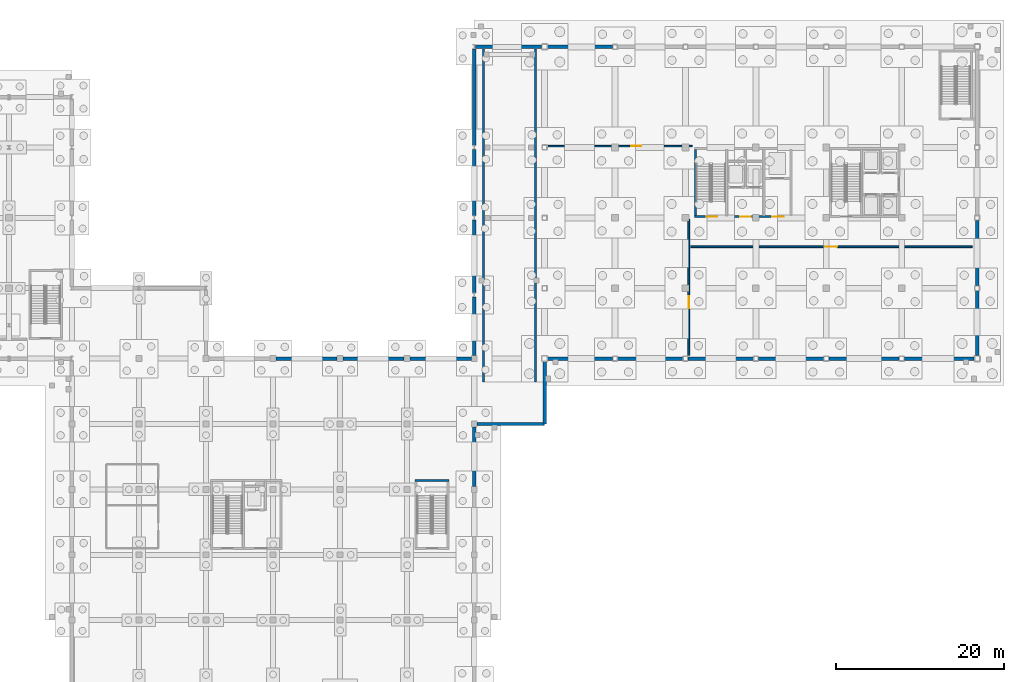
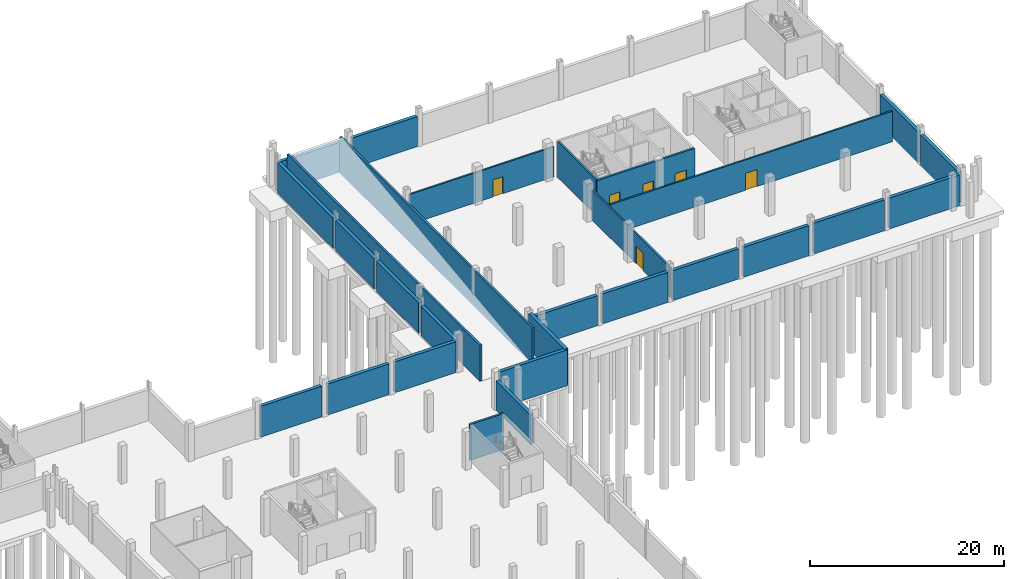
# One storey, part 33 of 44: 28 walls, 6 doors, 6 openings.
"""IFC4 building model written with IfcOpenShell, lengths in metres."""

import ifcopenshell
import ifcopenshell.guid

model = None  # the IFC model being written
_history = None  # IfcOwnerHistory: only IFC2X3 demands one
_inside = {}  # id of a spatial element -> (the spatial element, [elements in it])
_under = {}  # id of a project, library or spatial element -> (it, [spatial elements below it])
_declared = {}  # id of a project -> (the project, [libraries it declares])
_typed = {}  # id of a type object -> (the type object, [elements of that type])
_made_of = {}  # id of a material, layer set ... -> (it, [elements and type objects made of it])


def new_model(schema):
    """Start an empty IFC model of exactly this schema.

    Asked for "IFC4X3", IfcOpenShell would pick the latest addendum, in which some entities
    have other attributes; the version numbers below select the first issue.
    IFC2X3 requires an IfcOwnerHistory on every rooted entity: one is made here for all.
    """
    global model, _history
    if schema == "IFC4X3":
        model = ifcopenshell.file(schema_version=(4, 3, 0, 0))
    else:
        model = ifcopenshell.file(schema=schema)
    _inside.clear()
    _under.clear()
    _declared.clear()
    _typed.clear()
    _made_of.clear()
    _history = None
    if model.schema == "IFC2X3":
        org = make("IfcOrganization", Name="unknown")
        user = make(
            "IfcPersonAndOrganization",
            ThePerson=make("IfcPerson", FamilyName="unknown"),
            TheOrganization=org,
        )
        app = make(
            "IfcApplication",
            ApplicationDeveloper=org,
            Version="unknown",
            ApplicationFullName="unknown",
            ApplicationIdentifier="unknown",
        )
        _history = make(
            "IfcOwnerHistory",
            OwningUser=user,
            OwningApplication=app,
            ChangeAction="ADDED",
            CreationDate=0,
        )
    return model


def make(cls, **values):
    """One entity of the class cls with the attributes given. An attribute that is None is left unset."""
    return model.create_entity(
        cls, **{name: value for name, value in values.items() if value is not None}
    )


def rooted(cls, **values):
    """An entity with a GlobalId (a new one), such as an element, a storey or a relation."""
    return make(cls, GlobalId=ifcopenshell.guid.new(), OwnerHistory=_history, **values)


def si_unit(unit_type, name, prefix=None):
    """IfcSIUnit, for example si_unit("LENGTHUNIT", "METRE", prefix="MILLI")."""
    return make("IfcSIUnit", UnitType=unit_type, Prefix=prefix, Name=name)


def assignment(units):
    """IfcUnitAssignment: the units of a project."""
    return None if units is None else make("IfcUnitAssignment", Units=units)


def point(xyz):
    """IfcCartesianPoint."""
    return None if xyz is None else make("IfcCartesianPoint", Coordinates=xyz)


def direction(xyz):
    """IfcDirection."""
    return None if xyz is None else make("IfcDirection", DirectionRatios=xyz)


def frame(location, z_axis=None, x_axis=None):
    """IfcAxis2Placement3D, a coordinate frame: its origin and axes. An axis left out is left unset."""
    return make(
        "IfcAxis2Placement3D",
        Location=point(location),
        Axis=direction(z_axis),
        RefDirection=direction(x_axis),
    )


def frame_2d(location, x_axis=None):
    """IfcAxis2Placement2D, a coordinate frame in the plane: its origin and x axis."""
    return make(
        "IfcAxis2Placement2D", Location=point(location), RefDirection=direction(x_axis)
    )


def origin():
    """The frame at (0, 0, 0) with its axes left unset."""
    return frame((0.0, 0.0, 0.0))


def place(relative_to, where):
    """IfcLocalPlacement: puts the frame where relative to a parent placement (None: the world)."""
    return make(
        "IfcLocalPlacement", PlacementRelTo=relative_to, RelativePlacement=where
    )


def context(
    kind, dimensions, precision=None, world=None, true_north=None, identifier=None
):
    """IfcGeometricRepresentationContext, for example the 3D "Model" context."""
    return make(
        "IfcGeometricRepresentationContext",
        ContextIdentifier=identifier,
        ContextType=kind,
        CoordinateSpaceDimension=dimensions,
        Precision=precision,
        WorldCoordinateSystem=world,
        TrueNorth=true_north,
    )


def subcontext(parent, identifier, kind, view, scale=None):
    """IfcGeometricRepresentationSubContext, for example "Body" below "Model"."""
    return make(
        "IfcGeometricRepresentationSubContext",
        ContextIdentifier=identifier,
        ContextType=kind,
        ParentContext=parent,
        TargetScale=scale,
        TargetView=view,
    )


def project(units=None, contexts=None):
    """IfcProject with its units and contexts."""
    return rooted(
        "IfcProject",
        Name="project",
        RepresentationContexts=contexts,
        UnitsInContext=assignment(units),
    )


def spatial(cls, under=None, at=None, **own):
    """A site, building, storey or space (cls), placed at a placement, below another one or the project."""
    s = rooted(cls, ObjectPlacement=at, **own)
    if under is not None:
        _under.setdefault(under.id(), (under, []))[1].append(s)
    return s


def profile(cls, at=None, kind="AREA", **sizes):
    """A parametric profile (cls). Its sizes go by their IFC names, for example OverallWidth=200.0."""
    return make(cls, ProfileType=kind, Position=at, **sizes)


def rectangle(**sizes):
    """IfcRectangleProfileDef."""
    return profile("IfcRectangleProfileDef", **sizes)


def extrude(swept, where, along, depth):
    """IfcExtrudedAreaSolid: the profile swept, set in the frame where, extruded along a direction by depth."""
    return make(
        "IfcExtrudedAreaSolid",
        SweptArea=swept,
        Position=where,
        ExtrudedDirection=direction(along),
        Depth=depth,
    )


def shape(context_of_items, identifier, shape_type, items):
    """IfcShapeRepresentation: the items that make up one representation, for example the "Body"."""
    return make(
        "IfcShapeRepresentation",
        ContextOfItems=context_of_items,
        RepresentationIdentifier=identifier,
        RepresentationType=shape_type,
        Items=items,
    )


def material(Name=None, Category=None):
    """IfcMaterial."""
    return make("IfcMaterial", Name=Name, Category=Category)


def layer(
    of_material, thickness, ventilated=None, Name=None, Category=None, Priority=None
):
    """IfcMaterialLayer: one layer of a wall or slab, of a material (None: an air gap)."""
    return make(
        "IfcMaterialLayer",
        Material=of_material,
        LayerThickness=thickness,
        IsVentilated=ventilated,
        Name=Name,
        Category=Category,
        Priority=Priority,
    )


def layer_set(layers, Name=None):
    """IfcMaterialLayerSet."""
    return make("IfcMaterialLayerSet", MaterialLayers=layers, LayerSetName=Name)


def made_of(thing, what):
    """Note that an element or type object is made of a material, layer set ...; save() writes the relation."""
    if what is not None:
        _made_of.setdefault(what.id(), (what, []))[1].append(thing)
    return thing


def type_object(cls, material=None, **own):
    """A type object (cls), such as IfcWallType, which elements share."""
    return made_of(rooted(cls, **own), material)


def element(
    cls,
    number,
    at=None,
    inside=None,
    cuts=None,
    type_object=None,
    material=None,
    context=None,
    identifier="Body",
    shape_type=None,
    held_by="IfcProductDefinitionShape",
    body=None,
    shapes=None,
    **own,
):
    """One element of the class cls, such as IfcWall. Its Tag is "e" and its number.

    at: its placement. inside: the storey or other place that contains it. cuts: it is an
    opening in that element (IfcRelVoidsElement). A single representation is given by context,
    identifier, shape_type and body (its items); several are given by shapes. held_by: the class
    of the entity that holds the representations. save() writes the other relations.
    """
    e = rooted(cls, Tag="e%d" % number, ObjectPlacement=at, **own)
    if body is not None:
        shapes = [shape(context, identifier, shape_type, body)]
    if shapes is not None:
        e.Representation = make(held_by, Representations=shapes)
    if inside is not None:
        _inside.setdefault(inside.id(), (inside, []))[1].append(e)
    if cuts is not None:
        rooted(
            "IfcRelVoidsElement", RelatingBuildingElement=cuts, RelatedOpeningElement=e
        )
    if type_object is not None:
        _typed.setdefault(type_object.id(), (type_object, []))[1].append(e)
    return made_of(e, material)


def fill(opening, filler):
    """IfcRelFillsElement: the door or window that sits in an opening."""
    return rooted(
        "IfcRelFillsElement",
        RelatingOpeningElement=opening,
        RelatedBuildingElement=filler,
    )


def aggregate(whole, parts):
    """IfcRelAggregates: a whole, such as a stair, and the parts it consists of."""
    return rooted("IfcRelAggregates", RelatingObject=whole, RelatedObjects=parts)


def save(model, path):
    """Write the relations noted so far, then the file.

    IfcRelAggregates (storeys below a building ...), IfcRelContainedInSpatialStructure (elements
    in a storey), IfcRelDefinesByType, IfcRelAssociatesMaterial and IfcRelDeclares: one each for
    every whole, place, type object, material and project.
    """
    for whole, parts in _under.values():
        aggregate(whole, parts)
    for where, things in _inside.values():
        rooted(
            "IfcRelContainedInSpatialStructure",
            RelatedElements=things,
            RelatingStructure=where,
        )
    for kind, things in _typed.values():
        rooted("IfcRelDefinesByType", RelatedObjects=things, RelatingType=kind)
    for what, things in _made_of.values():
        rooted("IfcRelAssociatesMaterial", RelatedObjects=things, RelatingMaterial=what)
    for by, libraries in _declared.values():
        rooted("IfcRelDeclares", RelatingContext=by, RelatedDefinitions=libraries)
    model.write(path)


model = new_model("IFC4")

# Units and contexts
model_context = context("Model", 3, precision=1e-05, world=origin(), true_north=direction((0.0, 1.0)))
body_context = subcontext(model_context, "Body", "Model", "MODEL_VIEW")
ifc_project = project(units=[si_unit("LENGTHUNIT", "METRE"), si_unit("AREAUNIT", "SQUARE_METRE"), si_unit("VOLUMEUNIT", "CUBIC_METRE"), si_unit("PLANEANGLEUNIT", "RADIAN"), si_unit("MASSUNIT", "GRAM", prefix="KILO")], contexts=[model_context])

# Site, building, storey
site_placement = place(None, origin())
site = spatial("IfcSite", under=ifc_project, at=site_placement, CompositionType="ELEMENT")
building_placement = place(site_placement, origin())
building = spatial("IfcBuilding", under=site, at=building_placement, Name="Yukiwa Park Conservatory and Herbarium", CompositionType="ELEMENT")
storey_placement = place(building_placement, frame((0.0, 0.0, -4.800048828125)))
storey = spatial("IfcBuildingStorey", under=building, at=storey_placement, Name="B1", CompositionType="ELEMENT", Elevation=-4.800048828125)

# Walls
ifc_material_1 = material(Name="Concrete C40", Category="concrete")
ifc_layer_1 = layer(ifc_material_1, 0.39990234375)
ifc_layer_set_1 = layer_set([ifc_layer_1], Name="Concrete C40")
wall_type_1 = type_object("IfcWallType", Name="WL-B1-RET400", PredefinedType="SOLIDWALL", material=ifc_layer_set_1)
wall_1_placement = place(storey_placement, frame((108.0, 62.75, 0.0), z_axis=(0.0, 0.0, 1.0), x_axis=(0.0, 1.0, 0.0)))
element("IfcWall", 1, at=wall_1_placement, inside=storey, type_object=wall_type_1, Name="B1 exterior envelope wall 23", PredefinedType="SOLIDWALL", context=body_context, shape_type="SweptSolid", body=[
    extrude(rectangle(XDim=7.10009765625, YDim=0.39990234375, at=frame_2d((3.550048828125, 0.0))), origin(), (0.0, 0.0, 1.0), 3.739990234375),
])
wall_2_placement = place(storey_placement, frame((108.35009765625, 70.199951171875, 0.0), z_axis=(0.0, 0.0, 1.0), x_axis=(1.0, 0.0, 0.0)))
element("IfcWall", 2, at=wall_2_placement, inside=storey, type_object=wall_type_1, Name="B1 exterior envelope wall 24", PredefinedType="SOLIDWALL", context=body_context, shape_type="SweptSolid", body=[
    extrude(rectangle(XDim=8.0498046875, YDim=0.39990234375, at=frame_2d((4.02490234375, 0.0))), origin(), (0.0, 0.0, 1.0), 4.5400390625),
])
wall_3_placement = place(storey_placement, frame((116.39990234375, 70.199951171875, 0.0), z_axis=(0.0, 0.0, 1.0), x_axis=(0.0, 1.0, 0.0)))
element("IfcWall", 3, at=wall_3_placement, inside=storey, type_object=wall_type_1, Name="B1 exterior envelope wall 25", PredefinedType="SOLIDWALL", context=body_context, shape_type="SweptSolid", body=[
    extrude(rectangle(XDim=7.449951171875, YDim=0.39990234375, at=frame_2d((3.72509765625, 0.0))), origin(), (0.0, 0.0, 1.0), 4.5400390625),
])
wall_4_placement = place(storey_placement, frame((116.75, 78.0, 0.0), z_axis=(0.0, 0.0, 1.0), x_axis=(1.0, 0.0, 0.0)))
element("IfcWall", 4, at=wall_4_placement, inside=storey, type_object=wall_type_1, Name="B1 exterior envelope wall 26", PredefinedType="SOLIDWALL", context=body_context, shape_type="SweptSolid", body=[
    extrude(rectangle(XDim=7.75, YDim=0.39990234375, at=frame_2d((3.875, 0.0))), origin(), (0.0, 0.0, 1.0), 3.7900390625),
])
wall_5_placement = place(storey_placement, frame((125.10009765625, 78.0, 0.0), z_axis=(0.0, 0.0, 1.0), x_axis=(1.0, 0.0, 0.0)))
element("IfcWall", 5, at=wall_5_placement, inside=storey, type_object=wall_type_1, Name="B1 exterior envelope wall 27", PredefinedType="SOLIDWALL", context=body_context, shape_type="SweptSolid", body=[
    extrude(rectangle(XDim=7.7998046875, YDim=0.39990234375, at=frame_2d((3.89990234375, 0.0))), origin(), (0.0, 0.0, 1.0), 3.7900390625),
])
for number, where, z_axis, x_axis, name in (
    (6, (133.5, 78.0, 0.0), (0.0, 0.0, 1.0), (1.0, 0.0, 0.0), "B1 exterior envelope wall 28"),
    (7, (141.89990234375, 78.0, 0.0), (0.0, 0.0, 1.0), (1.0, 0.0, 0.0), "B1 exterior envelope wall 29"),
):
    element("IfcWall", number, at=place(storey_placement, frame(where, z_axis=z_axis, x_axis=x_axis)), inside=storey, type_object=wall_type_1, Name=name, PredefinedType="SOLIDWALL", context=body_context, shape_type="SweptSolid", body=[
        extrude(rectangle(XDim=7.800048828125, YDim=0.39990234375, at=frame_2d((3.89990234375, 0.0))), origin(), (0.0, 0.0, 1.0), 3.7900390625),
    ])
wall_6_placement = place(storey_placement, frame((150.300048828125, 78.0, 0.0), z_axis=(0.0, 0.0, 1.0), x_axis=(1.0, 0.0, 0.0)))
element("IfcWall", 8, at=wall_6_placement, inside=storey, type_object=wall_type_1, Name="B1 exterior envelope wall 30", PredefinedType="SOLIDWALL", context=body_context, shape_type="SweptSolid", body=[
    extrude(rectangle(XDim=8.39990234375, YDim=0.39990234375, at=frame_2d((4.199951171875, 0.0))), origin(), (0.0, 0.0, 1.0), 3.89013671875),
])
wall_7_placement = place(storey_placement, frame((159.300048828125, 78.0, 0.0), z_axis=(0.0, 0.0, 1.0), x_axis=(1.0, 0.0, 0.0)))
element("IfcWall", 9, at=wall_7_placement, inside=storey, type_object=wall_type_1, Name="B1 exterior envelope wall 31", PredefinedType="SOLIDWALL", context=body_context, shape_type="SweptSolid", body=[
    extrude(rectangle(XDim=8.349853515625, YDim=0.39990234375, at=frame_2d((4.1748046875, 0.0))), origin(), (0.0, 0.0, 1.0), 3.89013671875),
])
wall_8_placement = place(storey_placement, frame((168.0, 78.35009765625, 0.0), z_axis=(0.0, 0.0, 1.0), x_axis=(0.0, 1.0, 0.0)))
element("IfcWall", 10, at=wall_8_placement, inside=storey, type_object=wall_type_1, Name="B1 exterior envelope wall 32", PredefinedType="SOLIDWALL", context=body_context, shape_type="SweptSolid", body=[
    extrude(rectangle(XDim=7.75, YDim=0.39990234375, at=frame_2d((3.875, 0.0))), origin(), (0.0, 0.0, 1.0), 3.840087890625),
])
wall_9_placement = place(storey_placement, frame((168.0, 86.699951171875, 0.0), z_axis=(0.0, 0.0, 1.0), x_axis=(0.0, 1.0, 0.0)))
element("IfcWall", 11, at=wall_9_placement, inside=storey, type_object=wall_type_1, Name="B1 exterior envelope wall 33", PredefinedType="SOLIDWALL", context=body_context, shape_type="SweptSolid", body=[
    extrude(rectangle(XDim=7.800048828125, YDim=0.39990234375, at=frame_2d((3.89990234375, 0.0))), origin(), (0.0, 0.0, 1.0), 3.840087890625),
])
wall_10_placement = place(storey_placement, frame((124.5, 115.199951171875, 0.0), z_axis=(0.0, 0.0, 1.0), x_axis=(-1.0, 0.0, 0.0)))
element("IfcWall", 12, at=wall_10_placement, inside=storey, type_object=wall_type_1, Name="B1 exterior envelope wall 41", PredefinedType="SOLIDWALL", context=body_context, shape_type="SweptSolid", body=[
    extrude(rectangle(XDim=7.75, YDim=0.39990234375, at=frame_2d((3.875, 0.0))), origin(), (0.0, 0.0, 1.0), 3.7900390625),
])
wall_11_placement = place(storey_placement, frame((116.050048828125, 115.199951171875, 0.0), z_axis=(0.0, 0.0, 1.0), x_axis=(-1.0, 0.0, 0.0)))
element("IfcWall", 13, at=wall_11_placement, inside=storey, type_object=wall_type_1, Name="B1 exterior envelope wall 42", PredefinedType="SOLIDWALL", context=body_context, shape_type="SweptSolid", body=[
    extrude(rectangle(XDim=7.900146484375, YDim=0.39990234375, at=frame_2d((3.9501953125, 0.0))), origin(), (0.0, 0.0, 1.0), 3.7900390625),
])
wall_12_placement = place(storey_placement, frame((108.0, 114.9560546875, 0.0), z_axis=(0.0, 0.0, 1.0), x_axis=(0.0, -1.0, 0.0)))
element("IfcWall", 14, at=wall_12_placement, inside=storey, type_object=wall_type_1, Name="B1 exterior envelope wall 43", PredefinedType="SOLIDWALL", context=body_context, shape_type="SweptSolid", body=[
    extrude(rectangle(XDim=11.511962890625, YDim=0.39990234375, at=frame_2d((5.755859375, 0.0))), origin(), (0.0, 0.0, 1.0), 3.840087890625),
])
wall_13_placement = place(storey_placement, frame((108.0, 102.9560546875, 0.0), z_axis=(0.0, 0.0, 1.0), x_axis=(0.0, -1.0, 0.0)))
element("IfcWall", 15, at=wall_13_placement, inside=storey, type_object=wall_type_1, Name="B1 exterior envelope wall 44", PredefinedType="SOLIDWALL", context=body_context, shape_type="SweptSolid", body=[
    extrude(rectangle(XDim=7.912109375, YDim=0.39990234375, at=frame_2d((3.9560546875, 0.0))), origin(), (0.0, 0.0, 1.0), 3.840087890625),
])
wall_14_placement = place(storey_placement, frame((108.0, 94.555908203125, 0.0), z_axis=(0.0, 0.0, 1.0), x_axis=(0.0, -1.0, 0.0)))
element("IfcWall", 16, at=wall_14_placement, inside=storey, type_object=wall_type_1, Name="B1 exterior envelope wall 45", PredefinedType="SOLIDWALL", context=body_context, shape_type="SweptSolid", body=[
    extrude(rectangle(XDim=8.7119140625, YDim=0.39990234375, at=frame_2d((4.35595703125, 0.0))), origin(), (0.0, 0.0, 1.0), 3.840087890625),
])
wall_15_placement = place(storey_placement, frame((108.0, 85.35595703125, 0.0), z_axis=(0.0, 0.0, 1.0), x_axis=(0.0, -1.0, 0.0)))
element("IfcWall", 17, at=wall_15_placement, inside=storey, type_object=wall_type_1, Name="B1 exterior envelope wall 46", PredefinedType="SOLIDWALL", context=body_context, shape_type="SweptSolid", body=[
    extrude(rectangle(XDim=7.005859375, YDim=0.39990234375, at=frame_2d((3.5029296875, 0.0))), origin(), (0.0, 0.0, 1.0), 3.739990234375),
])
for number, where, z_axis, x_axis, name in (
    (18, (107.64990234375, 78.0, 0.0), (0.0, 0.0, 1.0), (-1.0, 0.0, 0.0), "B1 exterior envelope wall 47"),
    (19, (99.64990234375, 78.0, 0.0), (0.0, 0.0, 1.0), (-1.0, 0.0, 0.0), "B1 exterior envelope wall 48"),
    (20, (91.64990234375, 78.0, 0.0), (0.0, 0.0, 1.0), (-1.0, 0.0, 0.0), "B1 exterior envelope wall 49"),
):
    element("IfcWall", number, at=place(storey_placement, frame(where, z_axis=z_axis, x_axis=x_axis)), inside=storey, type_object=wall_type_1, Name=name, PredefinedType="SOLIDWALL", context=body_context, shape_type="SweptSolid", body=[
        extrude(rectangle(XDim=7.2998046875, YDim=0.39990234375, at=frame_2d((3.64990234375, 0.0))), origin(), (0.0, 0.0, 1.0), 3.89013671875),
    ])

# Wall, openings, doors
ifc_material_2 = material(Name="Concrete C50", Category="concrete")
ifc_layer_2 = layer(ifc_material_2, 0.239990234375)
ifc_layer_set_2 = layer_set([ifc_layer_2], Name="Concrete C50")
wall_type_2 = type_object("IfcWallType", Name="WL-CORE-RC240", PredefinedType="SHEAR", material=ifc_layer_set_2)
wall_16_placement = place(storey_placement, frame((134.25, 94.929931640625, 0.0), z_axis=(0.0, 0.0, 1.0), x_axis=(1.0, 0.0, 0.0)))
wall_16 = element("IfcWall", 21, at=wall_16_placement, inside=storey, type_object=wall_type_2, Name="B1 core shear wall 1", PredefinedType="SHEAR", context=body_context, shape_type="SweptSolid", body=[
    extrude(rectangle(XDim=11.64990234375, YDim=0.239990234375, at=frame_2d((5.824951171875, 0.0))), origin(), (0.0, 0.0, 1.0), 4.5400390625),
])
opening_1_placement = place(wall_16_placement, frame((1.5, 0.0, 0.0)))
opening_1 = element("IfcOpeningElement", 22, at=opening_1_placement, cuts=wall_16, Name="Opening SD-01", PredefinedType="OPENING", context=body_context, shape_type="SweptSolid", body=[
    extrude(rectangle(XDim=1.219970703125, YDim=2.179931640625, at=frame_2d((0.60986328125, 1.08984375))), frame((0.0, 0.1298828125, 0.0), z_axis=(0.0, -1.0, 0.0), x_axis=(1.0, 0.0, 0.0)), (0.0, 0.0, 1.0), 0.260009765625),
])
opening_2_placement = place(wall_16_placement, frame((5.47998046875, 0.0, 0.0)))
opening_2 = element("IfcOpeningElement", 23, at=opening_2_placement, cuts=wall_16, Name="Opening FD-02", PredefinedType="OPENING", context=body_context, shape_type="SweptSolid", body=[
    extrude(rectangle(XDim=1.239990234375, YDim=2.14990234375, at=frame_2d((0.6201171875, 1.074951171875))), frame((0.0, 0.1298828125, 0.0), z_axis=(0.0, -1.0, 0.0), x_axis=(1.0, 0.0, 0.0)), (0.0, 0.0, 1.0), 0.260009765625),
])
opening_3_placement = place(wall_16_placement, frame((9.300048828125, 0.0, 0.0)))
opening_3 = element("IfcOpeningElement", 24, at=opening_3_placement, cuts=wall_16, Name="Opening FD-06", PredefinedType="OPENING", context=body_context, shape_type="SweptSolid", body=[
    extrude(rectangle(XDim=1.3798828125, YDim=2.14990234375, at=frame_2d((0.68994140625, 1.074951171875))), frame((0.0, 0.1298828125, 0.0), z_axis=(0.0, -1.0, 0.0), x_axis=(1.0, 0.0, 0.0)), (0.0, 0.0, 1.0), 0.260009765625),
])
ifc_material_3 = material(Name="Steel Q235B", Category="steel")
door_type_1 = type_object("IfcDoorType", Name="DR-FIRE-FD60-1400", OperationType="DOUBLE_DOOR_SINGLE_SWING", PredefinedType="DOOR", material=ifc_material_3)
door_1_placement = place(opening_3_placement, frame((1.3798828125, 0.0, 0.0), z_axis=(0.0, 0.0, 1.0), x_axis=(-1.0, 0.0, 0.0)))
door_1 = element("IfcDoor", 25, at=door_1_placement, inside=storey, type_object=door_type_1, Name="B1 Goods Lift Lobby double fire door", OperationType="DOUBLE_DOOR_SINGLE_SWING", OverallHeight=2.14990234375, OverallWidth=1.3798828125, PredefinedType="DOOR", context=body_context, shape_type="SweptSolid", body=[
    extrude(rectangle(XDim=1.3798828125, YDim=2.14990234375, at=frame_2d((0.68994140625, 1.074951171875))), frame((0.0, 0.02490234375, 0.0), z_axis=(0.0, -1.0, 0.0), x_axis=(1.0, 0.0, 0.0)), (0.0, 0.0, 1.0), 0.050048828125),
])
fill(opening_3, door_1)
ifc_material_4 = material(Name="Steel Q235B", Category="steel")
door_type_2 = type_object("IfcDoorType", Name="DR-FIRE-FD90-1200", OperationType="SINGLE_SWING_RIGHT", PredefinedType="DOOR", material=ifc_material_4)
door_2_placement = place(opening_2_placement, frame((1.239990234375, 0.0, 0.0), z_axis=(0.0, 0.0, 1.0), x_axis=(-1.0, 0.0, 0.0)))
door_2 = element("IfcDoor", 26, at=door_2_placement, inside=storey, type_object=door_type_2, Name="B1 Firefighting Lift Lobby fire door", OperationType="SINGLE_SWING_RIGHT", OverallHeight=2.14990234375, OverallWidth=1.239990234375, PredefinedType="DOOR", context=body_context, shape_type="SweptSolid", body=[
    extrude(rectangle(XDim=1.239990234375, YDim=2.14990234375, at=frame_2d((0.6201171875, 1.074951171875))), frame((0.0, 0.02490234375, 0.0), z_axis=(0.0, -1.0, 0.0), x_axis=(1.0, 0.0, 0.0)), (0.0, 0.0, 1.0), 0.050048828125),
])
fill(opening_2, door_2)
ifc_material_5 = material(Name="Steel Q235B", Category="steel")
door_type_3 = type_object("IfcDoorType", Name="DR-STAIR-FD90-1200", OperationType="SINGLE_SWING_LEFT", PredefinedType="DOOR", material=ifc_material_5)
door_3_placement = place(opening_1_placement, origin())
door_3 = element("IfcDoor", 27, at=door_3_placement, inside=storey, type_object=door_type_3, Name="B1 Stairwell ST-T1 fire door", OperationType="SINGLE_SWING_LEFT", OverallHeight=2.179931640625, OverallWidth=1.219970703125, PredefinedType="DOOR", context=body_context, shape_type="SweptSolid", body=[
    extrude(rectangle(XDim=1.219970703125, YDim=2.179931640625, at=frame_2d((0.60986328125, 1.08984375))), frame((0.0, 0.02490234375, 0.0), z_axis=(0.0, -1.0, 0.0), x_axis=(1.0, 0.0, 0.0)), (0.0, 0.0, 1.0), 0.050048828125),
])
fill(opening_1, door_3)

# Walls
wall_17_placement = place(storey_placement, frame((134.3701171875, 95.050048828125, 0.0), z_axis=(0.0, 0.0, 1.0), x_axis=(0.0, 1.0, 0.0)))
element("IfcWall", 28, at=wall_17_placement, inside=storey, type_object=wall_type_2, Name="B1 core shear wall 3", PredefinedType="SHEAR", context=body_context, shape_type="SweptSolid", body=[
    extrude(rectangle(XDim=7.89990234375, YDim=0.239990234375, at=frame_2d((3.949951171875, 0.0))), origin(), (0.0, 0.0, 1.0), 4.5400390625),
])
wall_18_placement = place(storey_placement, frame((100.9599609375, 63.469970703125, 0.0), z_axis=(0.0, 0.0, 1.0), x_axis=(1.0, 0.0, 0.0)))
element("IfcWall", 29, at=wall_18_placement, inside=storey, type_object=wall_type_2, Name="B1 core shear wall 45", PredefinedType="SHEAR", context=body_context, shape_type="SweptSolid", body=[
    extrude(rectangle(XDim=4.030029296875, YDim=0.239990234375, at=frame_2d((2.01513671875, 0.0))), origin(), (0.0, 0.0, 1.0), 4.5400390625),
])
for number, where, z_axis, x_axis, name in (
    (30, (109.080078125, 75.199951171875, 0.0), (0.0, 0.0, 1.0), (0.0, 1.0, 0.0), "B1 core shear wall 56"),
    (31, (115.320068359375, 75.199951171875, 0.0), (0.0, 0.0, 1.0), (0.0, 1.0, 0.0), "B1 core shear wall 57"),
):
    element("IfcWall", number, at=place(storey_placement, frame(where, z_axis=z_axis, x_axis=x_axis)), inside=storey, type_object=wall_type_2, Name=name, PredefinedType="SHEAR", context=body_context, shape_type="SweptSolid", body=[
        extrude(rectangle(XDim=39.75, YDim=0.239990234375, at=frame_2d((19.875, 0.0))), origin(), (0.0, 0.0, 1.0), 4.5400390625),
    ])

# Wall, opening, door
ifc_material_6 = material(Name="Gypsum Board Partition", Category="gypsum")
ifc_layer_3 = layer(ifc_material_6, 0.199951171875)
ifc_layer_set_3 = layer_set([ifc_layer_3], Name="Gypsum Board Partition")
wall_type_3 = type_object("IfcWallType", Name="WL-PART-FIRE-200", PredefinedType="SOLIDWALL", material=ifc_layer_set_3)
wall_19_placement = place(storey_placement, frame((133.800048828125, 91.35009765625, 0.0), z_axis=(0.0, 0.0, 1.0), x_axis=(1.0, 0.0, 0.0)))
wall_19 = element("IfcWall", 32, at=wall_19_placement, inside=storey, type_object=wall_type_3, Name="B1 interior partition wall 61", PredefinedType="SOLIDWALL", context=body_context, shape_type="SweptSolid", body=[
    extrude(rectangle(XDim=33.599853515625, YDim=0.199951171875, at=frame_2d((16.7998046875, 0.0))), origin(), (0.0, 0.0, 1.0), 3.840087890625),
])
opening_4_placement = place(wall_19_placement, frame((16.10009765625, 0.0, 0.0)))
opening_4 = element("IfcOpeningElement", 33, at=opening_4_placement, cuts=wall_19, Name="Opening FD-06", PredefinedType="OPENING", context=body_context, shape_type="SweptSolid", body=[
    extrude(rectangle(XDim=1.3798828125, YDim=2.14990234375, at=frame_2d((0.68994140625, 1.074951171875))), frame((0.0, 0.10986328125, 0.0), z_axis=(0.0, -1.0, 0.0), x_axis=(1.0, 0.0, 0.0)), (0.0, 0.0, 1.0), 0.219970703125),
])
door_4_placement = place(opening_4_placement, origin())
door_4 = element("IfcDoor", 34, at=door_4_placement, inside=storey, type_object=door_type_1, Name="B1 Substation double fire door", OperationType="DOUBLE_DOOR_SINGLE_SWING", OverallHeight=2.14990234375, OverallWidth=1.3798828125, PredefinedType="DOOR", context=body_context, shape_type="SweptSolid", body=[
    extrude(rectangle(XDim=1.3798828125, YDim=2.14990234375, at=frame_2d((0.68994140625, 1.074951171875))), frame((0.0, 0.02490234375, 0.0), z_axis=(0.0, -1.0, 0.0), x_axis=(1.0, 0.0, 0.0)), (0.0, 0.0, 1.0), 0.050048828125),
])
fill(opening_4, door_4)

wall_20_placement = place(storey_placement, frame((116.800048828125, 103.35009765625, 0.0), z_axis=(0.0, 0.0, 1.0), x_axis=(1.0, 0.0, 0.0)))
wall_20 = element("IfcWall", 35, at=wall_20_placement, inside=storey, type_object=wall_type_3, Name="B1 interior partition wall 62", PredefinedType="SOLIDWALL", context=body_context, shape_type="SweptSolid", body=[
    extrude(rectangle(XDim=17.199951171875, YDim=0.199951171875, at=frame_2d((8.60009765625, 0.0))), origin(), (0.0, 0.0, 1.0), 3.7900390625),
])
opening_5_placement = place(wall_20_placement, frame((9.919921875, 0.0, 0.0)))
opening_5 = element("IfcOpeningElement", 36, at=opening_5_placement, cuts=wall_20, Name="Opening FD-05", PredefinedType="OPENING", context=body_context, shape_type="SweptSolid", body=[
    extrude(rectangle(XDim=1.179931640625, YDim=2.14990234375, at=frame_2d((0.58984375, 1.074951171875))), frame((0.0, 0.10986328125, 0.0), z_axis=(0.0, -1.0, 0.0), x_axis=(1.0, 0.0, 0.0)), (0.0, 0.0, 1.0), 0.219970703125),
])
ifc_material_7 = material(Name="Steel Q235B", Category="steel")
door_type_4 = type_object("IfcDoorType", Name="DR-FIRE-FD60-1200", OperationType="SINGLE_SWING_LEFT", PredefinedType="DOOR", material=ifc_material_7)
door_5_placement = place(opening_5_placement, origin())
door_5 = element("IfcDoor", 37, at=door_5_placement, inside=storey, type_object=door_type_4, Name="B1 Cryogenic plant fire door", OperationType="SINGLE_SWING_LEFT", OverallHeight=2.14990234375, OverallWidth=1.179931640625, PredefinedType="DOOR", context=body_context, shape_type="SweptSolid", body=[
    extrude(rectangle(XDim=1.179931640625, YDim=2.14990234375, at=frame_2d((0.58984375, 1.074951171875))), frame((0.0, 0.02490234375, 0.0), z_axis=(0.0, -1.0, 0.0), x_axis=(1.0, 0.0, 0.0)), (0.0, 0.0, 1.0), 0.050048828125),
])
fill(opening_5, door_5)

wall_21_placement = place(storey_placement, frame((133.60009765625, 78.39990234375, 0.0), z_axis=(0.0, 0.0, 1.0), x_axis=(0.0, 1.0, 0.0)))
wall_21 = element("IfcWall", 38, at=wall_21_placement, inside=storey, type_object=wall_type_3, Name="B1 interior partition wall 63", PredefinedType="SOLIDWALL", context=body_context, shape_type="SweptSolid", body=[
    extrude(rectangle(XDim=16.2001953125, YDim=0.199951171875, at=frame_2d((8.10009765625, 0.0))), origin(), (0.0, 0.0, 1.0), 3.7900390625),
])
opening_6_placement = place(wall_21_placement, frame((5.5859375, 0.0, 0.0)))
opening_6 = element("IfcOpeningElement", 39, at=opening_6_placement, cuts=wall_21, Name="Opening FD-07", PredefinedType="OPENING", context=body_context, shape_type="SweptSolid", body=[
    extrude(rectangle(XDim=1.47998046875, YDim=2.219970703125, at=frame_2d((0.739990234375, 1.10986328125))), frame((0.0, 0.10986328125, 0.0), z_axis=(0.0, -1.0, 0.0), x_axis=(1.0, 0.0, 0.0)), (0.0, 0.0, 1.0), 0.219970703125),
])
ifc_material_8 = material(Name="Steel Q235B", Category="steel")
door_type_5 = type_object("IfcDoorType", Name="DR-FIRE-FD60-1500", OperationType="DOUBLE_DOOR_SINGLE_SWING", PredefinedType="DOOR", material=ifc_material_8)
door_6_placement = place(opening_6_placement, origin())
door_6 = element("IfcDoor", 40, at=door_6_placement, inside=storey, type_object=door_type_5, Name="B1 Quarantine dock fire door", OperationType="DOUBLE_DOOR_SINGLE_SWING", OverallHeight=2.219970703125, OverallWidth=1.47998046875, PredefinedType="DOOR", context=body_context, shape_type="SweptSolid", body=[
    extrude(rectangle(XDim=1.47998046875, YDim=2.219970703125, at=frame_2d((0.739990234375, 1.10986328125))), frame((0.0, 0.02490234375, 0.0), z_axis=(0.0, -1.0, 0.0), x_axis=(1.0, 0.0, 0.0)), (0.0, 0.0, 1.0), 0.050048828125),
])
fill(opening_6, door_6)

save(model, "model.ifc")
